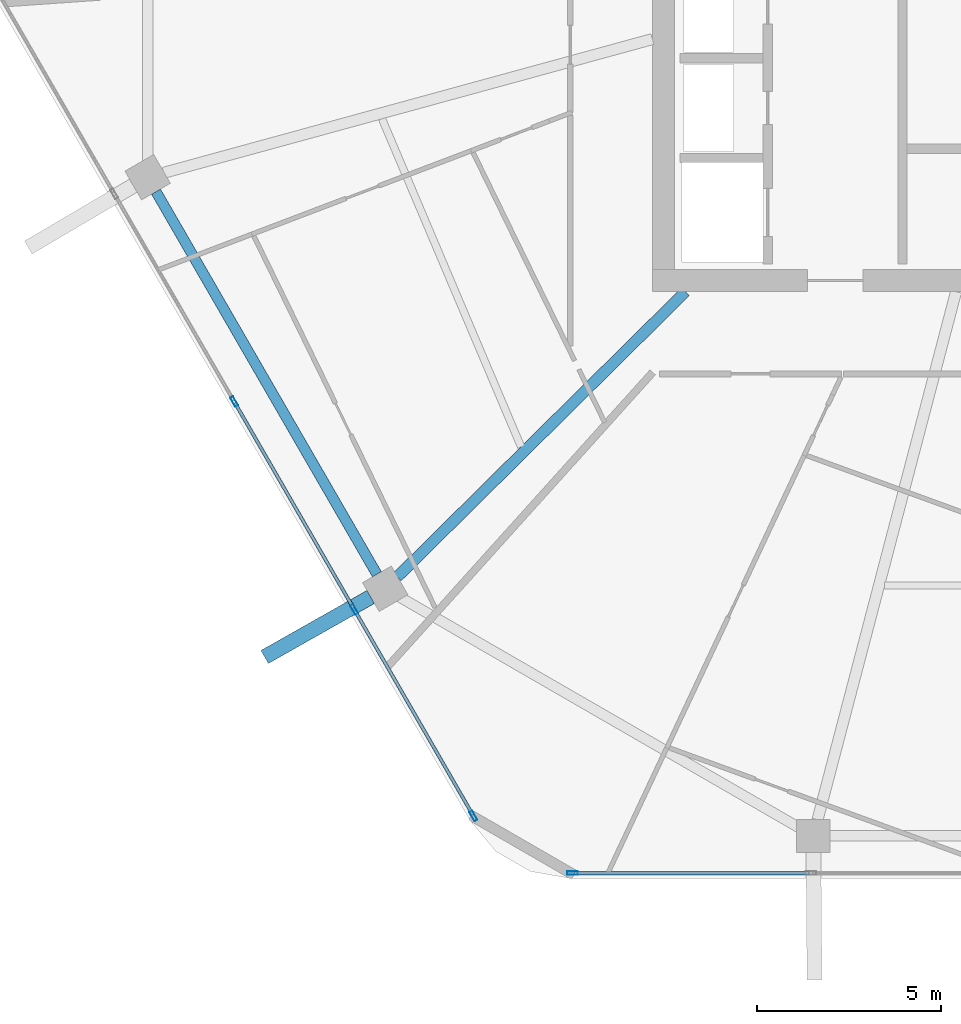
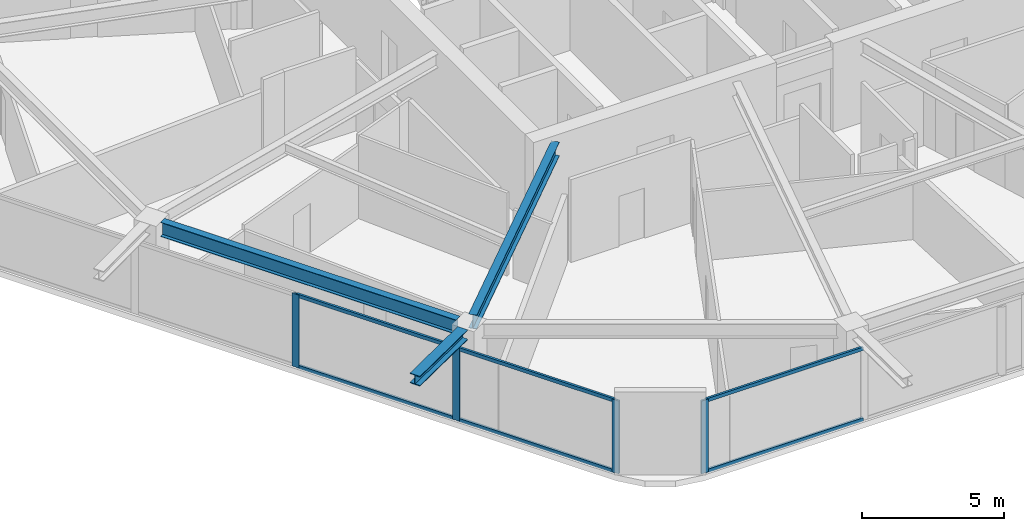
# One storey, part 2 of 25: 10 members, 3 beams, 2 elements without a shape of their own.
"""IFC4 building model written with IfcOpenShell, lengths in metres."""

import ifcopenshell
import ifcopenshell.guid

model = None  # the IFC model being written
_history = None  # IfcOwnerHistory: only IFC2X3 demands one
_inside = {}  # id of a spatial element -> (the spatial element, [elements in it])
_under = {}  # id of a project, library or spatial element -> (it, [spatial elements below it])
_declared = {}  # id of a project -> (the project, [libraries it declares])
_typed = {}  # id of a type object -> (the type object, [elements of that type])
_made_of = {}  # id of a material, layer set ... -> (it, [elements and type objects made of it])


def new_model(schema):
    """Start an empty IFC model of exactly this schema.

    Asked for "IFC4X3", IfcOpenShell would pick the latest addendum, in which some entities
    have other attributes; the version numbers below select the first issue.
    IFC2X3 requires an IfcOwnerHistory on every rooted entity: one is made here for all.
    """
    global model, _history
    if schema == "IFC4X3":
        model = ifcopenshell.file(schema_version=(4, 3, 0, 0))
    else:
        model = ifcopenshell.file(schema=schema)
    _inside.clear()
    _under.clear()
    _declared.clear()
    _typed.clear()
    _made_of.clear()
    _history = None
    if model.schema == "IFC2X3":
        org = make("IfcOrganization", Name="unknown")
        user = make(
            "IfcPersonAndOrganization",
            ThePerson=make("IfcPerson", FamilyName="unknown"),
            TheOrganization=org,
        )
        app = make(
            "IfcApplication",
            ApplicationDeveloper=org,
            Version="unknown",
            ApplicationFullName="unknown",
            ApplicationIdentifier="unknown",
        )
        _history = make(
            "IfcOwnerHistory",
            OwningUser=user,
            OwningApplication=app,
            ChangeAction="ADDED",
            CreationDate=0,
        )
    return model


def make(cls, **values):
    """One entity of the class cls with the attributes given. An attribute that is None is left unset."""
    return model.create_entity(
        cls, **{name: value for name, value in values.items() if value is not None}
    )


def rooted(cls, **values):
    """An entity with a GlobalId (a new one), such as an element, a storey or a relation."""
    return make(cls, GlobalId=ifcopenshell.guid.new(), OwnerHistory=_history, **values)


def si_unit(unit_type, name, prefix=None):
    """IfcSIUnit, for example si_unit("LENGTHUNIT", "METRE", prefix="MILLI")."""
    return make("IfcSIUnit", UnitType=unit_type, Prefix=prefix, Name=name)


def assignment(units):
    """IfcUnitAssignment: the units of a project."""
    return None if units is None else make("IfcUnitAssignment", Units=units)


def point(xyz):
    """IfcCartesianPoint."""
    return None if xyz is None else make("IfcCartesianPoint", Coordinates=xyz)


def direction(xyz):
    """IfcDirection."""
    return None if xyz is None else make("IfcDirection", DirectionRatios=xyz)


def frame(location, z_axis=None, x_axis=None):
    """IfcAxis2Placement3D, a coordinate frame: its origin and axes. An axis left out is left unset."""
    return make(
        "IfcAxis2Placement3D",
        Location=point(location),
        Axis=direction(z_axis),
        RefDirection=direction(x_axis),
    )


def frame_2d(location, x_axis=None):
    """IfcAxis2Placement2D, a coordinate frame in the plane: its origin and x axis."""
    return make(
        "IfcAxis2Placement2D", Location=point(location), RefDirection=direction(x_axis)
    )


def origin():
    """The frame at (0, 0, 0) with its axes left unset."""
    return frame((0.0, 0.0, 0.0))


def origin_2d():
    """The frame at (0, 0) in the plane with its x axis left unset."""
    return frame_2d((0.0, 0.0))


def place(relative_to, where):
    """IfcLocalPlacement: puts the frame where relative to a parent placement (None: the world)."""
    return make(
        "IfcLocalPlacement", PlacementRelTo=relative_to, RelativePlacement=where
    )


def context(
    kind, dimensions, precision=None, world=None, true_north=None, identifier=None
):
    """IfcGeometricRepresentationContext, for example the 3D "Model" context."""
    return make(
        "IfcGeometricRepresentationContext",
        ContextIdentifier=identifier,
        ContextType=kind,
        CoordinateSpaceDimension=dimensions,
        Precision=precision,
        WorldCoordinateSystem=world,
        TrueNorth=true_north,
    )


def subcontext(parent, identifier, kind, view, scale=None):
    """IfcGeometricRepresentationSubContext, for example "Body" below "Model"."""
    return make(
        "IfcGeometricRepresentationSubContext",
        ContextIdentifier=identifier,
        ContextType=kind,
        ParentContext=parent,
        TargetScale=scale,
        TargetView=view,
    )


def project(units=None, contexts=None):
    """IfcProject with its units and contexts."""
    return rooted(
        "IfcProject",
        Name="project",
        RepresentationContexts=contexts,
        UnitsInContext=assignment(units),
    )


def spatial(cls, under=None, at=None, **own):
    """A site, building, storey or space (cls), placed at a placement, below another one or the project."""
    s = rooted(cls, ObjectPlacement=at, **own)
    if under is not None:
        _under.setdefault(under.id(), (under, []))[1].append(s)
    return s


def profile(cls, at=None, kind="AREA", **sizes):
    """A parametric profile (cls). Its sizes go by their IFC names, for example OverallWidth=200.0."""
    return make(cls, ProfileType=kind, Position=at, **sizes)


def hollow_rectangle(**sizes):
    """IfcRectangleHollowProfileDef."""
    return profile("IfcRectangleHollowProfileDef", **sizes)


def i_section(**sizes):
    """IfcIShapeProfileDef."""
    return profile("IfcIShapeProfileDef", **sizes)


def extrude(swept, where, along, depth):
    """IfcExtrudedAreaSolid: the profile swept, set in the frame where, extruded along a direction by depth."""
    return make(
        "IfcExtrudedAreaSolid",
        SweptArea=swept,
        Position=where,
        ExtrudedDirection=direction(along),
        Depth=depth,
    )


def shape(context_of_items, identifier, shape_type, items):
    """IfcShapeRepresentation: the items that make up one representation, for example the "Body"."""
    return make(
        "IfcShapeRepresentation",
        ContextOfItems=context_of_items,
        RepresentationIdentifier=identifier,
        RepresentationType=shape_type,
        Items=items,
    )


def material(Name=None, Category=None):
    """IfcMaterial."""
    return make("IfcMaterial", Name=Name, Category=Category)


def material_profile(
    of_material, cross_section, Name=None, Category=None, Priority=None
):
    """IfcMaterialProfile: a cross section and its material."""
    return make(
        "IfcMaterialProfile",
        Name=Name,
        Material=of_material,
        Profile=cross_section,
        Priority=Priority,
        Category=Category,
    )


def profile_set(profiles, Name=None, composite=None):
    """IfcMaterialProfileSet."""
    return make(
        "IfcMaterialProfileSet",
        Name=Name,
        MaterialProfiles=profiles,
        CompositeProfile=composite,
    )


def made_of(thing, what):
    """Note that an element or type object is made of a material, layer set ...; save() writes the relation."""
    if what is not None:
        _made_of.setdefault(what.id(), (what, []))[1].append(thing)
    return thing


def type_object(cls, material=None, **own):
    """A type object (cls), such as IfcWallType, which elements share."""
    return made_of(rooted(cls, **own), material)


def element(
    cls,
    number,
    at=None,
    inside=None,
    cuts=None,
    type_object=None,
    material=None,
    context=None,
    identifier="Body",
    shape_type=None,
    held_by="IfcProductDefinitionShape",
    body=None,
    shapes=None,
    **own,
):
    """One element of the class cls, such as IfcWall. Its Tag is "e" and its number.

    at: its placement. inside: the storey or other place that contains it. cuts: it is an
    opening in that element (IfcRelVoidsElement). A single representation is given by context,
    identifier, shape_type and body (its items); several are given by shapes. held_by: the class
    of the entity that holds the representations. save() writes the other relations.
    """
    e = rooted(cls, Tag="e%d" % number, ObjectPlacement=at, **own)
    if body is not None:
        shapes = [shape(context, identifier, shape_type, body)]
    if shapes is not None:
        e.Representation = make(held_by, Representations=shapes)
    if inside is not None:
        _inside.setdefault(inside.id(), (inside, []))[1].append(e)
    if cuts is not None:
        rooted(
            "IfcRelVoidsElement", RelatingBuildingElement=cuts, RelatedOpeningElement=e
        )
    if type_object is not None:
        _typed.setdefault(type_object.id(), (type_object, []))[1].append(e)
    return made_of(e, material)


def aggregate(whole, parts):
    """IfcRelAggregates: a whole, such as a stair, and the parts it consists of."""
    return rooted("IfcRelAggregates", RelatingObject=whole, RelatedObjects=parts)


def save(model, path):
    """Write the relations noted so far, then the file.

    IfcRelAggregates (storeys below a building ...), IfcRelContainedInSpatialStructure (elements
    in a storey), IfcRelDefinesByType, IfcRelAssociatesMaterial and IfcRelDeclares: one each for
    every whole, place, type object, material and project.
    """
    for whole, parts in _under.values():
        aggregate(whole, parts)
    for where, things in _inside.values():
        rooted(
            "IfcRelContainedInSpatialStructure",
            RelatedElements=things,
            RelatingStructure=where,
        )
    for kind, things in _typed.values():
        rooted("IfcRelDefinesByType", RelatedObjects=things, RelatingType=kind)
    for what, things in _made_of.values():
        rooted("IfcRelAssociatesMaterial", RelatedObjects=things, RelatingMaterial=what)
    for by, libraries in _declared.values():
        rooted("IfcRelDeclares", RelatingContext=by, RelatedDefinitions=libraries)
    model.write(path)


model = new_model("IFC4")

# Units and contexts
model_context = context("Model", 3, precision=1e-05, world=origin(), true_north=direction((0.0, 1.0)))
body_context = subcontext(model_context, "Body", "Model", "MODEL_VIEW")
ifc_project = project(units=[si_unit("LENGTHUNIT", "METRE"), si_unit("AREAUNIT", "SQUARE_METRE"), si_unit("VOLUMEUNIT", "CUBIC_METRE"), si_unit("PLANEANGLEUNIT", "RADIAN"), si_unit("MASSUNIT", "GRAM", prefix="KILO")], contexts=[model_context])

# Site, building, storey
site_placement = place(None, origin())
site = spatial("IfcSite", under=ifc_project, at=site_placement, CompositionType="ELEMENT")
building_placement = place(site_placement, origin())
building = spatial("IfcBuilding", under=site, at=building_placement, Name="Zuhravey Tower", CompositionType="ELEMENT")
storey_placement = place(building_placement, frame((0.0, 0.0, 235.0)))
storey = spatial("IfcBuildingStorey", under=building, at=storey_placement, Name="L59", CompositionType="ELEMENT", Elevation=235.0)

# Curtain wall, member
ifc_material_1 = material(Name="Thermally broken anodised aluminium", Category="aluminium")
curtain_wall_type = type_object("IfcCurtainWallType", Name="Zone 3-4 High-Rise Curtain Wall CW4", PredefinedType="NOTDEFINED", material=ifc_material_1)
curtain_wall_1_placement = place(storey_placement, origin())
curtain_wall_1 = element("IfcCurtainWall", 1, at=curtain_wall_1_placement, inside=storey, type_object=curtain_wall_type, Name="L59 CW4 CW-L59-F5-1", PredefinedType="NOTDEFINED")
ifc_material_2 = material(Name="Anodised aluminium", Category="aluminium")
ifc_material_profile_1 = material_profile(ifc_material_2, hollow_rectangle(XDim=0.090087890625, YDim=0.284912109375, WallThickness=0.0048828125, at=origin_2d()), Name="ALU-RHS-90x285x5")
ifc_profile_set_1 = profile_set([ifc_material_profile_1], Name="Anodised aluminium")
member_type_1 = type_object("IfcMemberType", Name="Curtain-Wall Mullion 90x180", PredefinedType="MULLION", material=ifc_profile_set_1)
member_1_placement = place(storey_placement, frame((23.0322265625, 6.436279296875, 0.0), z_axis=(0.0, 0.0, 1.0), x_axis=(0.0, -1.0, 0.0)))
member_1 = element("IfcMember", 2, at=member_1_placement, type_object=member_type_1, Name="CW4 mullion 5", PredefinedType="MULLION", context=body_context, shape_type="SweptSolid", body=[
    extrude(hollow_rectangle(XDim=0.090087890625, YDim=0.284912109375, WallThickness=0.0048828125, at=origin_2d()), origin(), (0.0, 0.0, 1.0), 3.1220703125),
])

# Curtain wall, members
curtain_wall_2_placement = place(storey_placement, origin())
curtain_wall_2 = element("IfcCurtainWall", 3, at=curtain_wall_2_placement, inside=storey, type_object=curtain_wall_type, Name="L59 CW4 CW-L59-F4-1", PredefinedType="NOTDEFINED")
member_2_placement = place(storey_placement, frame((20.34521484375, 7.98779296875, 0.0), z_axis=(0.0, 0.0, 1.0), x_axis=(-0.866024851021, -0.500000957414, 0.0)))
member_2 = element("IfcMember", 4, at=member_2_placement, type_object=member_type_1, Name="CW4 mullion 1", PredefinedType="MULLION", context=body_context, shape_type="SweptSolid", body=[
    extrude(hollow_rectangle(XDim=0.090087890625, YDim=0.284912109375, WallThickness=0.0048828125, at=origin_2d()), origin(), (0.0, 0.0, 1.0), 3.1220703125),
])
member_3_placement = place(storey_placement, frame((17.114501953125, 13.58349609375, 0.0), z_axis=(0.0, 0.0, 1.0), x_axis=(-0.866024851021, -0.500000957414, 0.0)))
member_3 = element("IfcMember", 5, at=member_3_placement, type_object=member_type_1, Name="CW4 mullion 2", PredefinedType="MULLION", context=body_context, shape_type="SweptSolid", body=[
    extrude(hollow_rectangle(XDim=0.090087890625, YDim=0.284912109375, WallThickness=0.0048828125, at=origin_2d()), origin(), (0.0, 0.0, 1.0), 3.1220703125),
])
member_4_placement = place(storey_placement, frame((13.861328125, 19.21826171875, 0.0), z_axis=(0.0, 0.0, 1.0), x_axis=(-0.866024851021, -0.500000957414, 0.0)))
member_4 = element("IfcMember", 6, at=member_4_placement, type_object=member_type_1, Name="CW4 mullion 3", PredefinedType="MULLION", context=body_context, shape_type="SweptSolid", body=[
    extrude(hollow_rectangle(XDim=0.090087890625, YDim=0.284912109375, WallThickness=0.0048828125, at=origin_2d()), origin(), (0.0, 0.0, 1.0), 3.1220703125),
])

# Member
ifc_material_profile_2 = material_profile(ifc_material_2, hollow_rectangle(XDim=0.090087890625, YDim=0.14990234375, WallThickness=0.0048828125, at=origin_2d()), Name="ALU-RHS-90x150x5")
ifc_profile_set_2 = profile_set([ifc_material_profile_2], Name="Anodised aluminium")
member_type_2 = type_object("IfcMemberType", Name="Curtain-Wall Transom 90x150", PredefinedType="USERDEFINED", material=ifc_profile_set_2)
member_5_placement = place(storey_placement, frame((29.44873046875, 6.436279296875, 0.044921875), z_axis=(-1.0, 0.0, 0.0), x_axis=(0.0, -1.0, 0.0)))
member_5 = element("IfcMember", 7, at=member_5_placement, type_object=member_type_2, Name="CW4 transom 4.1", ObjectType="TRANSOM", PredefinedType="USERDEFINED", context=body_context, shape_type="SweptSolid", body=[
    extrude(hollow_rectangle(XDim=0.090087890625, YDim=0.14990234375, WallThickness=0.0048828125, at=origin_2d()), origin(), (0.0, 0.0, 1.0), 6.371337890625),
])

member_6_placement = place(storey_placement, frame((29.44873046875, 6.436279296875, 3.076904296875), z_axis=(-1.0, 0.0, 0.0), x_axis=(0.0, -1.0, 0.0)))
member_6 = element("IfcMember", 8, at=member_6_placement, type_object=member_type_2, Name="CW4 transom 4.2", ObjectType="TRANSOM", PredefinedType="USERDEFINED", context=body_context, shape_type="SweptSolid", body=[
    extrude(hollow_rectangle(XDim=0.090087890625, YDim=0.14990234375, WallThickness=0.0048828125, at=origin_2d()), origin(), (0.0, 0.0, 1.0), 6.371337890625),
])

aggregate(curtain_wall_1, [member_1, member_5, member_6])

member_7_placement = place(storey_placement, frame((20.322509765625, 8.02685546875, 0.044921875), z_axis=(-0.499980071345, 0.866036909293, 0.0), x_axis=(-0.866036909293, -0.499980071345, 0.0)))
member_7 = element("IfcMember", 9, at=member_7_placement, type_object=member_type_2, Name="CW4 transom 1.1", ObjectType="TRANSOM", PredefinedType="USERDEFINED", context=body_context, shape_type="SweptSolid", body=[
    extrude(hollow_rectangle(XDim=0.090087890625, YDim=0.14990234375, WallThickness=0.0048828125, at=origin_2d()), origin(), (0.0, 0.0, 1.0), 6.371337890625),
])

member_8_placement = place(storey_placement, frame((20.322509765625, 8.02685546875, 3.076904296875), z_axis=(-0.499980071345, 0.866036909293, 0.0), x_axis=(-0.866036909293, -0.499980071345, 0.0)))
member_8 = element("IfcMember", 10, at=member_8_placement, type_object=member_type_2, Name="CW4 transom 1.2", ObjectType="TRANSOM", PredefinedType="USERDEFINED", context=body_context, shape_type="SweptSolid", body=[
    extrude(hollow_rectangle(XDim=0.090087890625, YDim=0.14990234375, WallThickness=0.0048828125, at=origin_2d()), origin(), (0.0, 0.0, 1.0), 6.371337890625),
])

member_9_placement = place(storey_placement, frame((17.092041015625, 13.62255859375, 0.044921875), z_axis=(-0.500014493347, 0.866017035885, 0.0), x_axis=(-0.866017035885, -0.500014493347, 0.0)))
member_9 = element("IfcMember", 11, at=member_9_placement, type_object=member_type_2, Name="CW4 transom 2.1", ObjectType="TRANSOM", PredefinedType="USERDEFINED", context=body_context, shape_type="SweptSolid", body=[
    extrude(hollow_rectangle(XDim=0.090087890625, YDim=0.14990234375, WallThickness=0.0048828125, at=origin_2d()), origin(), (0.0, 0.0, 1.0), 6.416259765625),
])

member_10_placement = place(storey_placement, frame((17.092041015625, 13.62255859375, 3.076904296875), z_axis=(-0.500014493347, 0.866017035885, 0.0), x_axis=(-0.866017035885, -0.500014493347, 0.0)))
member_10 = element("IfcMember", 12, at=member_10_placement, type_object=member_type_2, Name="CW4 transom 2.2", ObjectType="TRANSOM", PredefinedType="USERDEFINED", context=body_context, shape_type="SweptSolid", body=[
    extrude(hollow_rectangle(XDim=0.090087890625, YDim=0.14990234375, WallThickness=0.0048828125, at=origin_2d()), origin(), (0.0, 0.0, 1.0), 6.416259765625),
])

aggregate(curtain_wall_2, [member_2, member_3, member_4, member_7, member_8, member_9, member_10])

# Beams
ifc_material_3 = material(Name="Steel SM460", Category="steel")
ifc_material_profile_3 = material_profile(ifc_material_3, i_section(OverallWidth=0.406982421875, OverallDepth=0.427978515625, WebThickness=0.02001953125, FlangeThickness=0.034912109375, at=origin_2d()), Name="H-428x407x20x35")
ifc_profile_set_3 = profile_set([ifc_material_profile_3], Name="Steel SM460")
beam_type_1 = type_object("IfcBeamType", Name="Exoskeleton Node Tie Beam H428x407", PredefinedType="BEAM", material=ifc_profile_set_3)
beam_1_placement = place(storey_placement, frame((17.561279296875, 13.921875, 3.3359375), z_axis=(-0.870374073409, -0.492391076622, 0.0), x_axis=(0.492391076622, -0.870374073409, 0.0)))
element("IfcBeam", 13, at=beam_1_placement, inside=storey, type_object=beam_type_1, Name="L59 Exoskeleton Node Tie NT1-08", PredefinedType="BEAM", context=body_context, shape_type="SweptSolid", body=[
    extrude(i_section(OverallWidth=0.406982421875, OverallDepth=0.427978515625, WebThickness=0.02001953125, FlangeThickness=0.034912109375, at=origin_2d()), origin(), (0.0, 0.0, 1.0), 3.30126953125),
])
ifc_material_4 = material(Name="Steel SM355", Category="steel")
ifc_material_profile_4 = material_profile(ifc_material_4, i_section(OverallWidth=0.280029296875, OverallDepth=0.6201171875, WebThickness=0.011962890625, FlangeThickness=0.02001953125, at=origin_2d()), Name="H-620x280x12x20")
ifc_profile_set_4 = profile_set([ifc_material_profile_4], Name="Steel SM355")
beam_type_2 = type_object("IfcBeamType", Name="Perimeter Ring Beam H620x280", PredefinedType="BEAM", material=ifc_profile_set_4)
beam_2_placement = place(storey_placement, frame((11.741943359375, 24.90869140625, 3.239990234375), z_axis=(0.500017744717, -0.866015158625, 0.0), x_axis=(0.866015158625, 0.500017744717, 0.0)))
element("IfcBeam", 14, at=beam_2_placement, inside=storey, type_object=beam_type_2, Name="L59 PB3 BM-L59-PB-07", PredefinedType="BEAM", context=body_context, shape_type="SweptSolid", body=[
    extrude(i_section(OverallWidth=0.280029296875, OverallDepth=0.6201171875, WebThickness=0.011962890625, FlangeThickness=0.02001953125, at=origin_2d()), origin(), (0.0, 0.0, 1.0), 11.9755859375),
])
ifc_material_profile_5 = material_profile(ifc_material_4, i_section(OverallWidth=0.300048828125, OverallDepth=0.60009765625, WebThickness=0.011962890625, FlangeThickness=0.02001953125, at=origin_2d()), Name="H-600x300x12x20")
ifc_profile_set_5 = profile_set([ifc_material_profile_5], Name="Steel SM355")
beam_type_3 = type_object("IfcBeamType", Name="Radial Primary Girder H600x300", PredefinedType="BEAM", material=ifc_profile_set_5)
beam_3_placement = place(storey_placement, frame((26.09326171875, 22.197021484375, 3.25), z_axis=(-0.710816516282, -0.703377480576, 0.0), x_axis=(0.703377480576, -0.710816516282, 0.0)))
element("IfcBeam", 15, at=beam_3_placement, inside=storey, type_object=beam_type_3, Name="L59 RG3 BM-L59-RAD-08", PredefinedType="BEAM", context=body_context, shape_type="SweptSolid", body=[
    extrude(i_section(OverallWidth=0.300048828125, OverallDepth=0.60009765625, WebThickness=0.011962890625, FlangeThickness=0.02001953125, at=origin_2d()), origin(), (0.0, 0.0, 1.0), 10.994384765625),
])

save(model, "model.ifc")
